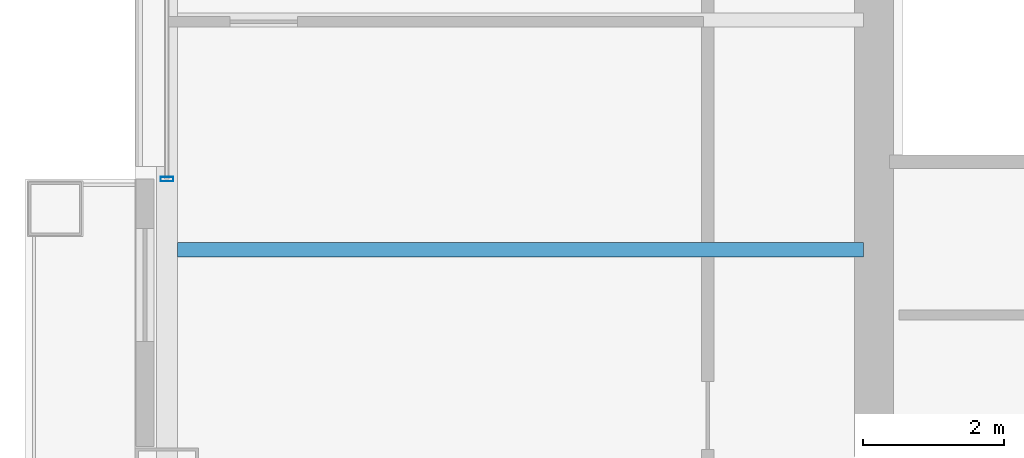
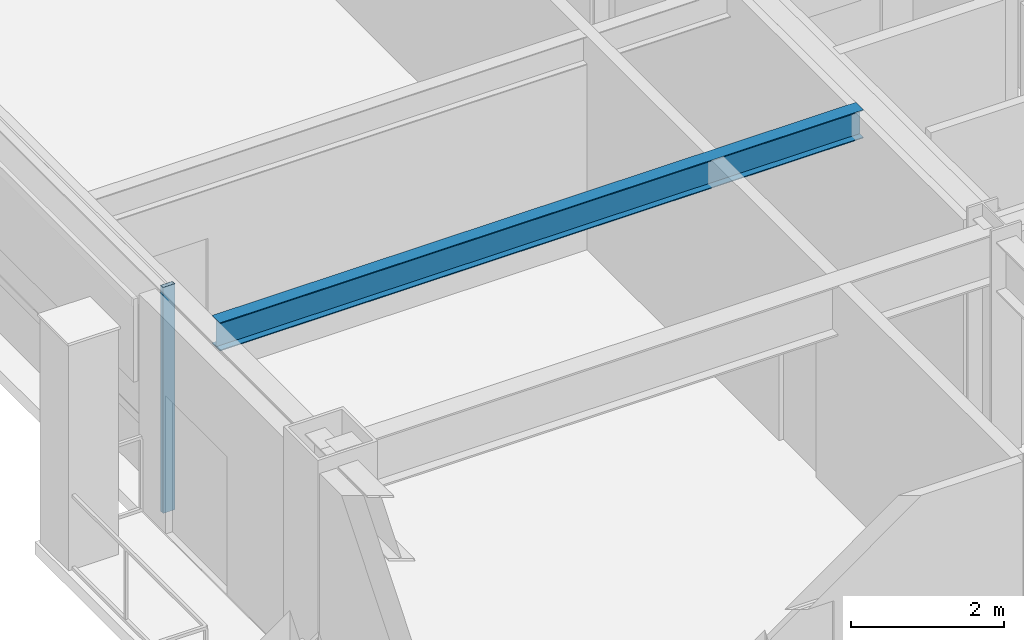
# One storey, part 6 of 29: 1 beam, 1 member, 1 element without a shape of its own.
"""IFC4 building model written with IfcOpenShell, lengths in metres."""

from ifc_helpers import new_model, si_unit, direction, frame, origin, origin_2d, place, context, subcontext, project, spatial, hollow_rectangle, i_section, extrude, material, layer, layer_set, material_profile, profile_set, type_object, element, aggregate, save


model = new_model("IFC4")

# Units and contexts
model_context = context("Model", 3, precision=1e-05, world=origin(), true_north=direction((0.0, 1.0)))
body_context = subcontext(model_context, "Body", "Model", "MODEL_VIEW")
ifc_project = project(units=[si_unit("LENGTHUNIT", "METRE"), si_unit("AREAUNIT", "SQUARE_METRE"), si_unit("VOLUMEUNIT", "CUBIC_METRE"), si_unit("PLANEANGLEUNIT", "RADIAN"), si_unit("MASSUNIT", "GRAM", prefix="KILO")], contexts=[model_context])

# Site, building, storey
site_placement = place(None, origin())
site = spatial("IfcSite", under=ifc_project, at=site_placement, CompositionType="ELEMENT")
building_placement = place(site_placement, origin())
building = spatial("IfcBuilding", under=site, at=building_placement, Name="Brelmoor Portico Tower", CompositionType="ELEMENT")
storey_placement = place(building_placement, frame((0.0, 0.0, 63.60009765625)))
storey = spatial("IfcBuildingStorey", under=building, at=storey_placement, Name="L16", CompositionType="ELEMENT", Elevation=63.60009765625)

# Beam
ifc_material_1 = material(Name="Steel Q355B", Category="steel")
ifc_material_profile_1 = material_profile(ifc_material_1, i_section(OverallWidth=0.199951171875, OverallDepth=0.449951171875, WebThickness=0.009033203125, FlangeThickness=0.013916015625, at=origin_2d()), Name="HN 450x200x9x14")
ifc_profile_set_1 = profile_set([ifc_material_profile_1], Name="Steel Q355B")
beam_type = type_object("IfcBeamType", Name="BM-JS-450", PredefinedType="JOIST", material=ifc_profile_set_1)
beam_placement = place(storey_placement, frame((-24.39990234375, -6.5, 3.1748046875), z_axis=(1.0, 0.0, 0.0), x_axis=(0.0, 1.0, 0.0)))
element("IfcBeam", 1, at=beam_placement, inside=storey, type_object=beam_type, Name="L16 Secondary Wing Joist JS-W05", PredefinedType="JOIST", context=body_context, shape_type="SweptSolid", body=[
    extrude(i_section(OverallWidth=0.199951171875, OverallDepth=0.449951171875, WebThickness=0.009033203125, FlangeThickness=0.013916015625, at=origin_2d()), origin(), (0.0, 0.0, 1.0), 9.699951171875),
])

# Curtain wall, member
ifc_material_2 = material(Name="Anodised Aluminium Alloy 6063-T6", Category="aluminium")
ifc_layer = layer(ifc_material_2, 0.179931640625)
ifc_layer_set = layer_set([ifc_layer], Name="Anodised Aluminium Alloy 6063-T6")
curtain_wall_type = type_object("IfcCurtainWallType", Name="CW-TOWER-Z1", PredefinedType="NOTDEFINED", material=ifc_layer_set)
curtain_wall_placement = place(storey_placement, origin())
curtain_wall = element("IfcCurtainWall", 2, at=curtain_wall_placement, inside=storey, type_object=curtain_wall_type, Name="L16 Curtain Wall CW-L16-3R-1", PredefinedType="NOTDEFINED")
ifc_material_profile_2 = material_profile(ifc_material_2, hollow_rectangle(XDim=0.06494140625, YDim=0.179931640625, WallThickness=0.00390625, at=origin_2d()), Name="ALU MULLION 65x180")
ifc_profile_set_2 = profile_set([ifc_material_profile_2], Name="Anodised Aluminium Alloy 6063-T6")
member_type = type_object("IfcMemberType", Name="MB-CW-MULL-180", PredefinedType="MULLION", material=ifc_profile_set_2)
member_placement = place(storey_placement, frame((-24.550048828125, -5.5, -0.2001953125), z_axis=(0.0, 0.0, 1.0), x_axis=(0.0, 1.0, 0.0)))
member = element("IfcMember", 3, at=member_placement, type_object=member_type, Name="CW-L16-3R-1 Mullion 00", PredefinedType="MULLION", context=body_context, shape_type="SweptSolid", body=[
    extrude(hollow_rectangle(XDim=0.06494140625, YDim=0.179931640625, WallThickness=0.00390625, at=origin_2d()), origin(), (0.0, 0.0, 1.0), 3.60009765625),
])
aggregate(curtain_wall, [member])

save(model, "model.ifc")
